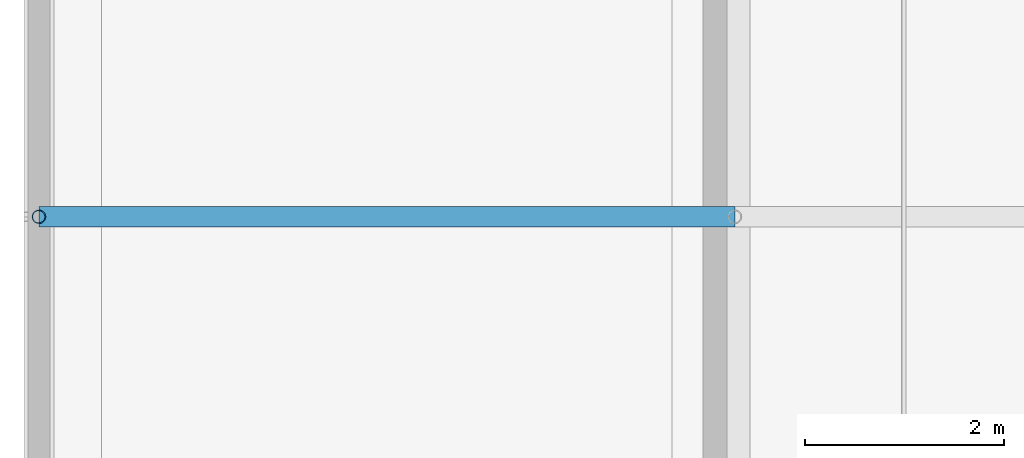
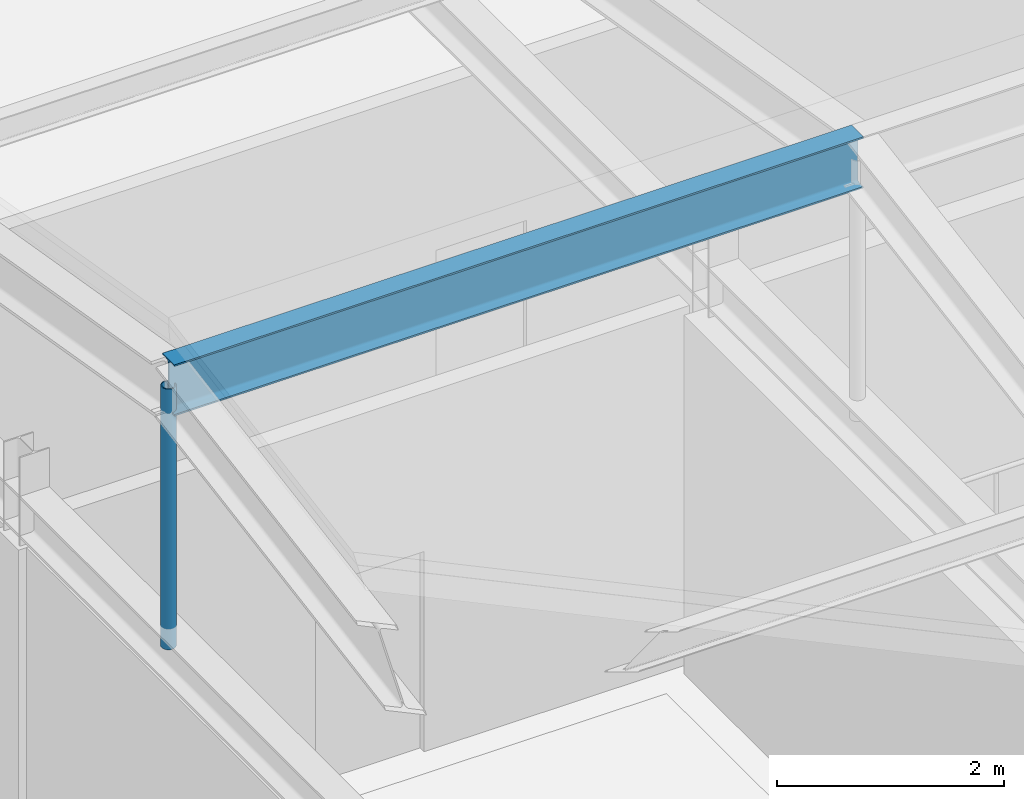
# One storey, part 17 of 108: 1 beam, 1 member.
"""IFC4 building model written with IfcOpenShell, lengths in metres."""

from ifc_helpers import new_model, si_unit, direction, frame, origin, origin_2d, place, context, subcontext, project, spatial, hollow_circle, i_section, extrude, material, material_profile, profile_set, type_object, element, save


model = new_model("IFC4")

# Units and contexts
model_context = context("Model", 3, precision=1e-05, world=origin(), true_north=direction((0.0, 1.0)))
body_context = subcontext(model_context, "Body", "Model", "MODEL_VIEW")
ifc_project = project(units=[si_unit("LENGTHUNIT", "METRE"), si_unit("AREAUNIT", "SQUARE_METRE"), si_unit("VOLUMEUNIT", "CUBIC_METRE"), si_unit("PLANEANGLEUNIT", "RADIAN"), si_unit("MASSUNIT", "GRAM", prefix="KILO")], contexts=[model_context])

# Site, building, storey
site_placement = place(None, origin())
site = spatial("IfcSite", under=ifc_project, at=site_placement, CompositionType="ELEMENT")
building_placement = place(site_placement, origin())
building = spatial("IfcBuilding", under=site, at=building_placement, Name="Tarnveldt Headland Concert Hall", CompositionType="ELEMENT")
storey_placement = place(building_placement, frame((0.0, 0.0, 9.60009765625)))
storey = spatial("IfcBuildingStorey", under=building, at=storey_placement, Name="L02", CompositionType="ELEMENT", Elevation=9.60009765625)

# Beam
ifc_material = material(Name="Steel S355", Category="steel")
ifc_material_profile_1 = material_profile(ifc_material, i_section(OverallWidth=0.2099609375, OverallDepth=0.550048828125, WebThickness=0.010986328125, FlangeThickness=0.01708984375, FilletRadius=0.02392578125, at=origin_2d()), Name="IPE550", Category="steel")
ifc_profile_set_1 = profile_set([ifc_material_profile_1], Name="Steel S355")
beam_type = type_object("IfcBeamType", Name="SB-IPE550", PredefinedType="BEAM", material=ifc_profile_set_1)
beam_placement = place(storey_placement, frame((7.5, 21.5, 6.9599609375), z_axis=(1.0, 0.0, 0.0), x_axis=(0.0, 1.0, 0.0)))
element("IfcBeam", 1, at=beam_placement, inside=storey, type_object=beam_type, Name="Chamber roof ridge beam 1", PredefinedType="BEAM", context=body_context, shape_type="SweptSolid", body=[
    extrude(i_section(OverallWidth=0.2099609375, OverallDepth=0.550048828125, WebThickness=0.010986328125, FlangeThickness=0.01708984375, FilletRadius=0.02392578125, at=origin_2d()), origin(), (0.0, 0.0, 1.0), 7.0),
])

# Member
ifc_material_profile_2 = material_profile(ifc_material, hollow_circle(Radius=0.06982421875, WallThickness=0.010009765625, at=origin_2d()), Name="CHS 139.7x10", Category="steel")
ifc_profile_set_2 = profile_set([ifc_material_profile_2], Name="Steel S355")
member_type = type_object("IfcMemberType", Name="TR-WEB140", PredefinedType="BRACE", material=ifc_profile_set_2)
member_placement = place(storey_placement, frame((7.5, 21.5, 4.159912109375), z_axis=(0.0, 0.0, 1.0), x_axis=(1.0, 0.0, 0.0)))
element("IfcMember", 2, at=member_placement, inside=storey, type_object=member_type, Name="KP-01 Roof truss kingpost strut 7", PredefinedType="BRACE", context=body_context, shape_type="SweptSolid", body=[
    extrude(hollow_circle(Radius=0.06982421875, WallThickness=0.010009765625, at=origin_2d()), origin(), (0.0, 0.0, 1.0), 2.800048828125),
])

save(model, "model.ifc")
